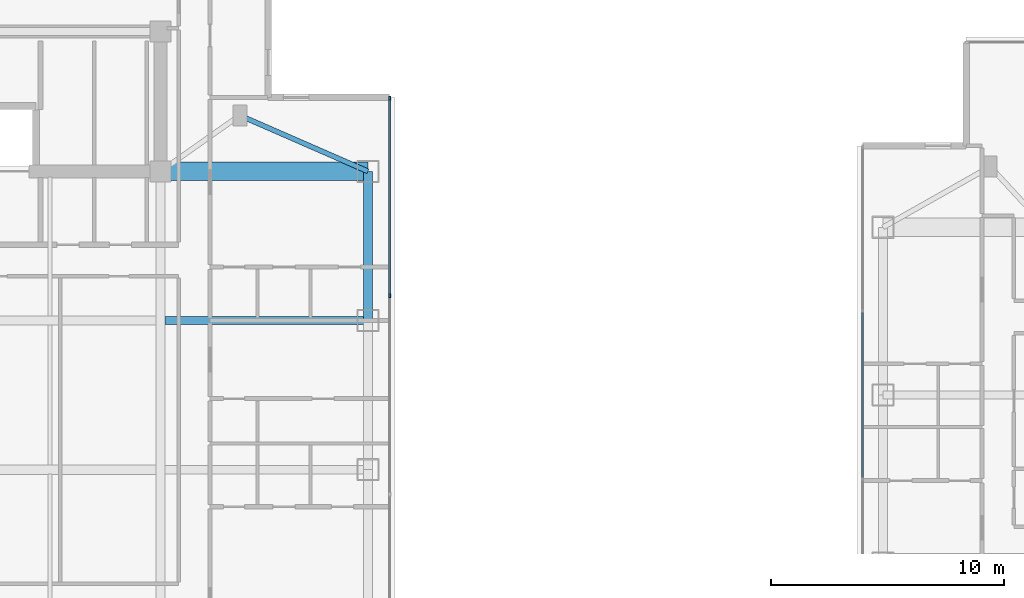
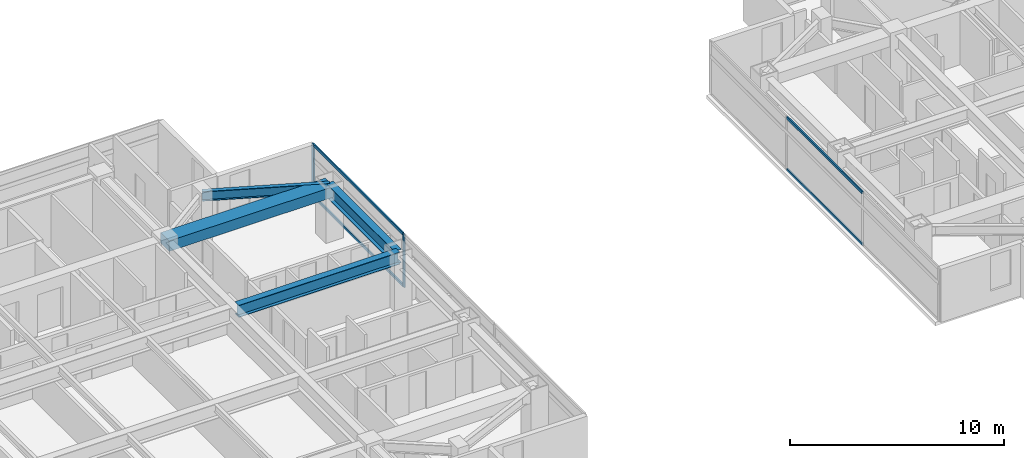
# One storey, part 6 of 23: 6 members, 4 beams, 2 elements without a shape of their own.
"""IFC4 building model written with IfcOpenShell, lengths in metres."""

from ifc_helpers import new_model, si_unit, direction, frame, origin, origin_2d, place, context, subcontext, project, spatial, rectangle, i_section, extrude, material, material_profile, profile_set, type_object, element, aggregate, save


model = new_model("IFC4")

# Units and contexts
model_context = context("Model", 3, precision=1e-05, world=origin(), true_north=direction((0.0, 1.0)))
body_context = subcontext(model_context, "Body", "Model", "MODEL_VIEW")
ifc_project = project(units=[si_unit("LENGTHUNIT", "METRE"), si_unit("AREAUNIT", "SQUARE_METRE"), si_unit("VOLUMEUNIT", "CUBIC_METRE"), si_unit("PLANEANGLEUNIT", "RADIAN"), si_unit("MASSUNIT", "GRAM", prefix="KILO")], contexts=[model_context])

# Site, building, storey
site_placement = place(None, origin())
site = spatial("IfcSite", under=ifc_project, at=site_placement, CompositionType="ELEMENT")
building_placement = place(site_placement, origin())
building = spatial("IfcBuilding", under=site, at=building_placement, Name="Mirazonda Arch Towers", CompositionType="ELEMENT")
storey_placement = place(building_placement, frame((0.0, 0.0, 183.64990234375)))
storey = spatial("IfcBuildingStorey", under=building, at=storey_placement, Name="L52", CompositionType="ELEMENT", Elevation=183.64990234375)

# Beams
ifc_material_1 = material(Name="Steel ASTM A992 Grade 50", Category="steel")
ifc_material_profile_1 = material_profile(ifc_material_1, i_section(OverallWidth=0.381103515625, OverallDepth=0.77294921875, WebThickness=0.0166015625, FlangeThickness=0.027099609375, at=origin_2d()), Name="W30X173")
ifc_profile_set_1 = profile_set([ifc_material_profile_1], Name="Steel ASTM A992 Grade 50")
beam_type_1 = type_object("IfcBeamType", Name="BM-EXT-W30X173", PredefinedType="USERDEFINED", material=ifc_profile_set_1)
beam_1_placement = place(storey_placement, frame((38.89990234375, 31.199951171875, 2.66357421875), z_axis=(0.0, 1.0, 0.0), x_axis=(-1.0, 0.0, 0.0)))
element("IfcBeam", 1, at=beam_1_placement, inside=storey, type_object=beam_type_1, Name="L52 Floor Beam BM-T1-L52-NS-E-31", ObjectType="GIRDER", PredefinedType="USERDEFINED", context=body_context, shape_type="SweptSolid", body=[
    extrude(i_section(OverallWidth=0.381103515625, OverallDepth=0.77294921875, WebThickness=0.0166015625, FlangeThickness=0.027099609375, at=origin_2d()), origin(), (0.0, 0.0, 1.0), 6.400146484375),
])
ifc_material_profile_2 = material_profile(ifc_material_1, i_section(OverallWidth=0.214111328125, OverallDepth=0.549072265625, WebThickness=0.0146484375, FlangeThickness=0.023681640625, at=origin_2d()), Name="W21X93")
ifc_profile_set_2 = profile_set([ifc_material_profile_2], Name="Steel ASTM A992 Grade 50")
beam_type_2 = type_object("IfcBeamType", Name="BM-INT-W21X93", PredefinedType="BEAM", material=ifc_profile_set_2)
beam_2_placement = place(storey_placement, frame((33.39990234375, 40.0, 2.775634765625), z_axis=(0.916545343703, -0.399930785183, 0.0), x_axis=(0.399930785183, 0.916545343703, 0.0)))
element("IfcBeam", 2, at=beam_2_placement, inside=storey, type_object=beam_type_2, Name="L52 Floor Beam BM-T1-L52-PL-NE2", PredefinedType="BEAM", context=body_context, shape_type="SweptSolid", body=[
    extrude(i_section(OverallWidth=0.214111328125, OverallDepth=0.549072265625, WebThickness=0.0146484375, FlangeThickness=0.023681640625, at=origin_2d()), origin(), (0.0, 0.0, 1.0), 6.000732421875),
])
ifc_material_profile_3 = material_profile(ifc_material_1, i_section(OverallWidth=0.35498046875, OverallDepth=0.696044921875, WebThickness=0.015380859375, FlangeThickness=0.02490234375, at=origin_2d()), Name="W27X146")
ifc_profile_set_3 = profile_set([ifc_material_profile_3], Name="Steel ASTM A992 Grade 50")
beam_type_3 = type_object("IfcBeamType", Name="BM-INT-W27X146", PredefinedType="BEAM", material=ifc_profile_set_3)
beam_3_placement = place(storey_placement, frame((30.199951171875, 31.199951171875, 2.7021484375), z_axis=(1.0, 0.0, 0.0), x_axis=(0.0, 1.0, 0.0)))
element("IfcBeam", 3, at=beam_3_placement, inside=storey, type_object=beam_type_3, Name="L52 Floor Beam BM-T1-L52-GE3", PredefinedType="BEAM", context=body_context, shape_type="SweptSolid", body=[
    extrude(i_section(OverallWidth=0.35498046875, OverallDepth=0.696044921875, WebThickness=0.015380859375, FlangeThickness=0.02490234375, at=origin_2d()), origin(), (0.0, 0.0, 1.0), 8.699951171875),
])
ifc_material_2 = material(Name="Concrete C60/75", Category="concrete")
ifc_material_profile_4 = material_profile(ifc_material_2, rectangle(XDim=0.800048828125, YDim=0.60009765625, at=origin_2d()), Name="RCCB800x600")
ifc_profile_set_4 = profile_set([ifc_material_profile_4], Name="Concrete C60/75")
beam_type_4 = type_object("IfcBeamType", Name="CB-INT-RCCB800x600", PredefinedType="SPANDREL", material=ifc_profile_set_4)
beam_4_placement = place(storey_placement, frame((30.0, 37.60009765625, 2.75), z_axis=(1.0, 0.0, 0.0), x_axis=(0.0, 1.0, 0.0)))
element("IfcBeam", 4, at=beam_4_placement, inside=storey, type_object=beam_type_4, Name="L52 Floor Beam CBC-T1-L52-NE", PredefinedType="SPANDREL", context=body_context, shape_type="SweptSolid", body=[
    extrude(rectangle(XDim=0.800048828125, YDim=0.60009765625, at=origin_2d()), origin(), (0.0, 0.0, 1.0), 8.89990234375),
])

# Curtain wall, members
ifc_material_3 = material(Name="Anodised Aluminium and Low-E Glass", Category="aluminium")
curtain_wall_type = type_object("IfcCurtainWallType", Name="CW-RES-UNIT", PredefinedType="NOTDEFINED", material=ifc_material_3)
curtain_wall_1_placement = place(storey_placement, origin())
curtain_wall_1 = element("IfcCurtainWall", 5, at=curtain_wall_1_placement, inside=storey, type_object=curtain_wall_type, Name="L52 T1 E Facade CW-L52-T1-E", PredefinedType="NOTDEFINED")
ifc_material_4 = material(Name="Anodised Aluminium Alloy", Category="aluminium")
ifc_material_profile_5 = material_profile(ifc_material_4, rectangle(XDim=0.074951171875, YDim=0.175048828125, at=origin_2d()), Name="ALU-MULL-75x175")
ifc_profile_set_5 = profile_set([ifc_material_profile_5], Name="Anodised Aluminium Alloy")
member_type_1 = type_object("IfcMemberType", Name="MULL-CW-RES-UNIT", PredefinedType="MULLION", material=ifc_profile_set_5)
member_1_placement = place(storey_placement, frame((39.830078125, 32.25830078125, 0.0), z_axis=(0.0, 0.0, 1.0), x_axis=(-1.0, 0.0, 0.0)))
member_1 = element("IfcMember", 6, at=member_1_placement, type_object=member_type_1, Name="CW-104 mullion 3", PredefinedType="MULLION", context=body_context, shape_type="SweptSolid", body=[
    extrude(rectangle(XDim=0.074951171875, YDim=0.175048828125, at=origin_2d()), origin(), (0.0, 0.0, 1.0), 3.030029296875),
])
member_2_placement = place(storey_placement, frame((39.830078125, 40.737548828125, 0.0), z_axis=(0.0, 0.0, 1.0), x_axis=(-1.0, 0.0, 0.0)))
member_2 = element("IfcMember", 7, at=member_2_placement, type_object=member_type_1, Name="CW-104 mullion 4", PredefinedType="MULLION", context=body_context, shape_type="SweptSolid", body=[
    extrude(rectangle(XDim=0.074951171875, YDim=0.175048828125, at=origin_2d()), origin(), (0.0, 0.0, 1.0), 3.030029296875),
])
ifc_material_profile_6 = material_profile(ifc_material_4, rectangle(XDim=0.074951171875, YDim=0.155029296875, at=origin_2d()), Name="ALU-TRAN-75x155")
ifc_profile_set_6 = profile_set([ifc_material_profile_6], Name="Anodised Aluminium Alloy")
member_type_2 = type_object("IfcMemberType", Name="TRAN-CW-RES-UNIT", PredefinedType="USERDEFINED", material=ifc_profile_set_6)
member_3_placement = place(storey_placement, frame((39.830078125, 32.2958984375, 0.03759765625), z_axis=(0.0, 1.0, 0.0), x_axis=(-1.0, 0.0, 0.0)))
member_3 = element("IfcMember", 8, at=member_3_placement, type_object=member_type_2, Name="CW-104 transom 3.1", ObjectType="TRANSOM", PredefinedType="USERDEFINED", context=body_context, shape_type="SweptSolid", body=[
    extrude(rectangle(XDim=0.074951171875, YDim=0.155029296875, at=origin_2d()), origin(), (0.0, 0.0, 1.0), 8.404052734375),
])
member_4_placement = place(storey_placement, frame((39.830078125, 32.2958984375, 2.99267578125), z_axis=(0.0, 1.0, 0.0), x_axis=(-1.0, 0.0, 0.0)))
member_4 = element("IfcMember", 9, at=member_4_placement, type_object=member_type_2, Name="CW-104 transom 3.2", ObjectType="TRANSOM", PredefinedType="USERDEFINED", context=body_context, shape_type="SweptSolid", body=[
    extrude(rectangle(XDim=0.074951171875, YDim=0.155029296875, at=origin_2d()), origin(), (0.0, 0.0, 1.0), 8.404052734375),
])
aggregate(curtain_wall_1, [member_1, member_2, member_3, member_4])

curtain_wall_2_placement = place(storey_placement, origin())
curtain_wall_2 = element("IfcCurtainWall", 10, at=curtain_wall_2_placement, inside=storey, type_object=curtain_wall_type, Name="L52 T2 W Facade CW-L52-T2-W", PredefinedType="NOTDEFINED")
member_5_placement = place(storey_placement, frame((60.12255859375, 31.52880859375, 0.03759765625), z_axis=(0.0, -1.0, 0.0), x_axis=(1.0, 0.0, 0.0)))
member_5 = element("IfcMember", 11, at=member_5_placement, type_object=member_type_2, Name="CW-104 transom 2.1", ObjectType="TRANSOM", PredefinedType="USERDEFINED", context=body_context, shape_type="SweptSolid", body=[
    extrude(rectangle(XDim=0.074951171875, YDim=0.155029296875, at=origin_2d()), origin(), (0.0, 0.0, 1.0), 7.0576171875),
])
member_6_placement = place(storey_placement, frame((60.12255859375, 31.52880859375, 2.99267578125), z_axis=(0.0, -1.0, 0.0), x_axis=(1.0, 0.0, 0.0)))
member_6 = element("IfcMember", 12, at=member_6_placement, type_object=member_type_2, Name="CW-104 transom 2.2", ObjectType="TRANSOM", PredefinedType="USERDEFINED", context=body_context, shape_type="SweptSolid", body=[
    extrude(rectangle(XDim=0.074951171875, YDim=0.155029296875, at=origin_2d()), origin(), (0.0, 0.0, 1.0), 7.0576171875),
])
aggregate(curtain_wall_2, [member_5, member_6])

save(model, "model.ifc")
